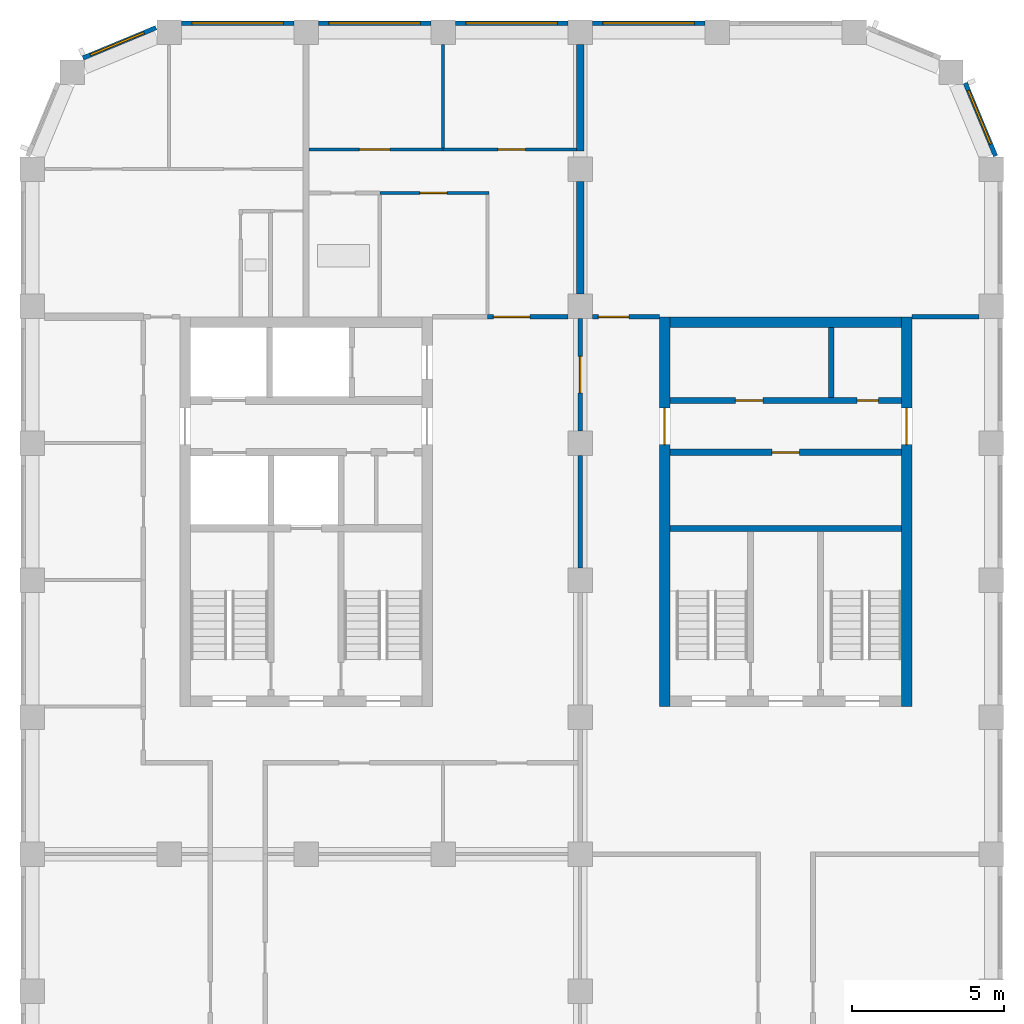
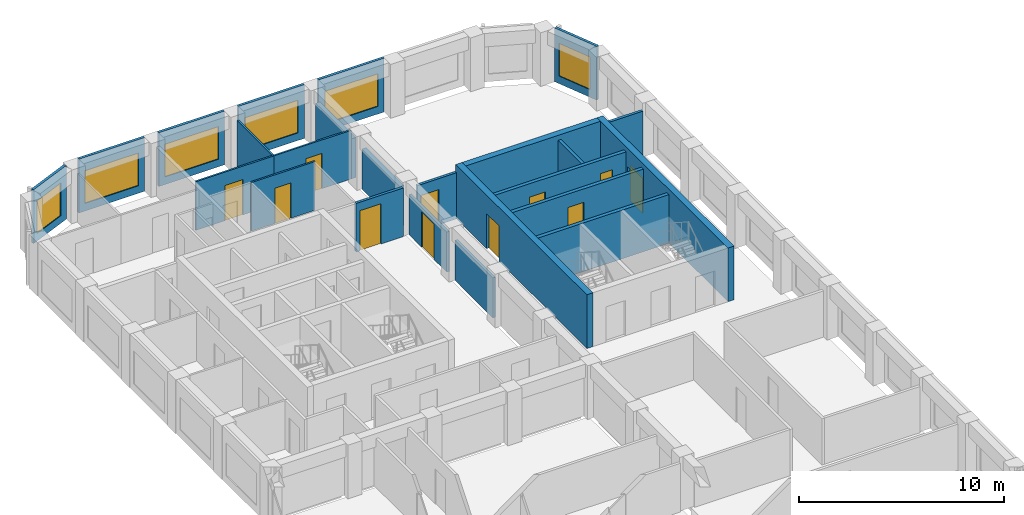
# One storey, part 6 of 9: 24 walls, 11 doors, 6 windows, 17 openings.
"""IFC4 building model written with IfcOpenShell, lengths in metres."""

from ifc_helpers import new_model, si_unit, direction, frame, frame_2d, origin, place, context, subcontext, project, spatial, rectangle, extrude, material, layer, layer_set, type_object, element, fill, save


model = new_model("IFC4")

# Units and contexts
model_context = context("Model", 3, precision=1e-05, world=origin(), true_north=direction((0.0, 1.0)))
body_context = subcontext(model_context, "Body", "Model", "MODEL_VIEW")
ifc_project = project(units=[si_unit("LENGTHUNIT", "METRE"), si_unit("AREAUNIT", "SQUARE_METRE"), si_unit("VOLUMEUNIT", "CUBIC_METRE"), si_unit("PLANEANGLEUNIT", "RADIAN"), si_unit("MASSUNIT", "GRAM", prefix="KILO")], contexts=[model_context])

# Site, building, storey
site_placement = place(None, origin())
site = spatial("IfcSite", under=ifc_project, at=site_placement, CompositionType="ELEMENT")
building_placement = place(site_placement, origin())
building = spatial("IfcBuilding", under=site, at=building_placement, Name="Girih Gate Residences", CompositionType="ELEMENT")
storey_placement = place(building_placement, frame((0.0, 0.0, 219.695068359375)))
storey = spatial("IfcBuildingStorey", under=building, at=storey_placement, Name="L61", CompositionType="ELEMENT", Elevation=219.695068359375)

# Walls
ifc_material_1 = material(Name="Gypsum board on steel studs", Category="steel")
ifc_layer_1 = layer(ifc_material_1, 0.25)
ifc_layer_set_1 = layer_set([ifc_layer_1], Name="Acoustic separating wall 250 mm")
wall_type_1 = type_object("IfcWallType", Name="Acoustic separating wall 250 mm", PredefinedType="PARTITIONING", material=ifc_layer_set_1)
wall_1_placement = place(storey_placement, frame((18.0, 45.590087890625, 0.0), z_axis=(0.0, 0.0, 1.0), x_axis=(0.0, 1.0, 0.0)))
element("IfcWall", 1, at=wall_1_placement, inside=storey, type_object=wall_type_1, Name="L61 partition", PredefinedType="PARTITIONING", context=body_context, shape_type="SweptSolid", body=[
    extrude(rectangle(XDim=3.510009765625, YDim=0.25, at=frame_2d((1.7548828125, 0.0))), origin(), (0.0, 0.0, 1.0), 2.3798828125),
])
wall_2_placement = place(storey_placement, frame((18.0, 40.89990234375, 0.0), z_axis=(0.0, 0.0, 1.0), x_axis=(0.0, 1.0, 0.0)))
element("IfcWall", 2, at=wall_2_placement, inside=storey, type_object=wall_type_1, Name="L61 partition", PredefinedType="PARTITIONING", context=body_context, shape_type="SweptSolid", body=[
    extrude(rectangle(XDim=3.7001953125, YDim=0.25, at=frame_2d((1.85009765625, 0.0))), origin(), (0.0, 0.0, 1.0), 2.3798828125),
])

# Wall, opening, door
ifc_layer_2 = layer(ifc_material_1, 0.14990234375)
ifc_layer_set_2 = layer_set([ifc_layer_2], Name="Compartment wall 150 mm")
wall_type_2 = type_object("IfcWallType", Name="Compartment wall 150 mm", PredefinedType="PARTITIONING", material=ifc_layer_set_2)
wall_3_placement = place(storey_placement, frame((14.949951171875, 40.14990234375, 0.0), z_axis=(0.0, 0.0, 1.0), x_axis=(1.0, 0.0, 0.0)))
wall_3 = element("IfcWall", 3, at=wall_3_placement, inside=storey, type_object=wall_type_2, Name="L61 partition", PredefinedType="PARTITIONING", context=body_context, shape_type="SweptSolid", body=[
    extrude(rectangle(XDim=2.650146484375, YDim=0.14990234375, at=frame_2d((1.3251953125, 0.0))), origin(), (0.0, 0.0, 1.0), 2.89990234375),
])
opening_1_placement = place(wall_3_placement, frame((0.199951171875, 0.0, 0.0)))
opening_1 = element("IfcOpeningElement", 4, at=opening_1_placement, cuts=wall_3, Name="Opening A61-016", PredefinedType="OPENING", context=body_context, shape_type="SweptSolid", body=[
    extrude(rectangle(XDim=1.199951171875, YDim=2.39990234375, at=frame_2d((0.60009765625, 1.199951171875))), frame((0.0, 0.0849609375, 0.0), z_axis=(0.0, -1.0, 0.0), x_axis=(1.0, 0.0, 0.0)), (0.0, 0.0, 1.0), 0.169921875),
])
ifc_material_2 = material(Name="Timber, fire-rated core", Category="wood")
door_type_1 = type_object("IfcDoorType", Name="Villa entrance door 1200x2400 FD30S", OperationType="NOTDEFINED", PredefinedType="DOOR", material=ifc_material_2)
door_1_placement = place(opening_1_placement, origin())
door_1 = element("IfcDoor", 5, at=door_1_placement, inside=storey, type_object=door_type_1, Name="Door A61-016", OperationType="SINGLE_SWING_LEFT", OverallHeight=2.39990234375, OverallWidth=1.199951171875, PredefinedType="DOOR", context=body_context, shape_type="SweptSolid", body=[
    extrude(rectangle(XDim=1.199951171875, YDim=2.39990234375, at=frame_2d((0.60009765625, 1.199951171875))), frame((0.0, 0.02490234375, 0.0), z_axis=(0.0, -1.0, 0.0), x_axis=(1.0, 0.0, 0.0)), (0.0, 0.0, 1.0), 0.050048828125),
])
fill(opening_1, door_1)

wall_4_placement = place(storey_placement, frame((18.39990234375, 40.14990234375, 0.0), z_axis=(0.0, 0.0, 1.0), x_axis=(1.0, 0.0, 0.0)))
wall_4 = element("IfcWall", 6, at=wall_4_placement, inside=storey, type_object=wall_type_2, Name="L61 partition", PredefinedType="PARTITIONING", context=body_context, shape_type="SweptSolid", body=[
    extrude(rectangle(XDim=2.2001953125, YDim=0.14990234375, at=frame_2d((1.10009765625, 0.0))), origin(), (0.0, 0.0, 1.0), 2.75),
])
opening_2_placement = place(wall_4_placement, frame((0.199951171875, 0.0, 0.0)))
opening_2 = element("IfcOpeningElement", 7, at=opening_2_placement, cuts=wall_4, Name="Opening A61-018", PredefinedType="OPENING", context=body_context, shape_type="SweptSolid", body=[
    extrude(rectangle(XDim=1.0, YDim=2.10009765625, at=frame_2d((0.5, 1.050048828125))), frame((0.0, 0.0849609375, 0.0), z_axis=(0.0, -1.0, 0.0), x_axis=(1.0, 0.0, 0.0)), (0.0, 0.0, 1.0), 0.169921875),
])
door_type_2 = type_object("IfcDoorType", Name="Amenity room door 1000x2100 FD30S", OperationType="NOTDEFINED", PredefinedType="DOOR", material=ifc_material_2)
door_2_placement = place(opening_2_placement, origin())
door_2 = element("IfcDoor", 8, at=door_2_placement, inside=storey, type_object=door_type_2, Name="Door A61-018", OperationType="SINGLE_SWING_LEFT", OverallHeight=2.10009765625, OverallWidth=1.0, PredefinedType="DOOR", context=body_context, shape_type="SweptSolid", body=[
    extrude(rectangle(XDim=1.0, YDim=2.10009765625, at=frame_2d((0.5, 1.050048828125))), frame((0.0, 0.02490234375, 0.0), z_axis=(0.0, -1.0, 0.0), x_axis=(1.0, 0.0, 0.0)), (0.0, 0.0, 1.0), 0.050048828125),
])
fill(opening_2, door_2)

# Walls
wall_5_placement = place(storey_placement, frame((28.89990234375, 40.14990234375, 0.0), z_axis=(0.0, 0.0, 1.0), x_axis=(1.0, 0.0, 0.0)))
element("IfcWall", 9, at=wall_5_placement, inside=storey, type_object=wall_type_2, Name="L61 partition", PredefinedType="PARTITIONING", context=body_context, shape_type="SweptSolid", body=[
    extrude(rectangle(XDim=2.2001953125, YDim=0.14990234375, at=frame_2d((1.10009765625, 0.0))), origin(), (0.0, 0.0, 1.0), 2.75),
])
wall_6_placement = place(storey_placement, frame((18.0, 31.89990234375, 0.0), z_axis=(0.0, 0.0, 1.0), x_axis=(0.0, 1.0, 0.0)))
element("IfcWall", 10, at=wall_6_placement, inside=storey, type_object=wall_type_2, Name="L61 partition", PredefinedType="PARTITIONING", context=body_context, shape_type="SweptSolid", body=[
    extrude(rectangle(XDim=3.7001953125, YDim=0.14990234375, at=frame_2d((1.85009765625, 0.0))), origin(), (0.0, 0.0, 1.0), 2.3798828125),
])

# Wall, opening, door
wall_7_placement = place(storey_placement, frame((18.0, 40.10009765625, 0.0), z_axis=(0.0, 0.0, 1.0), x_axis=(0.0, -1.0, 0.0)))
wall_7 = element("IfcWall", 11, at=wall_7_placement, inside=storey, type_object=wall_type_2, Name="L61 partition", PredefinedType="PARTITIONING", context=body_context, shape_type="SweptSolid", body=[
    extrude(rectangle(XDim=3.7001953125, YDim=0.14990234375, at=frame_2d((1.85009765625, 0.0))), origin(), (0.0, 0.0, 1.0), 2.3798828125),
])
opening_3_placement = place(wall_7_placement, frame((1.25, 0.0, 0.0)))
opening_3 = element("IfcOpeningElement", 12, at=opening_3_placement, cuts=wall_7, Name="Opening A61-019", PredefinedType="OPENING", context=body_context, shape_type="SweptSolid", body=[
    extrude(rectangle(XDim=1.199951171875, YDim=2.10009765625, at=frame_2d((0.60009765625, 1.050048828125))), frame((0.0, 0.0849609375, 0.0), z_axis=(0.0, -1.0, 0.0), x_axis=(1.0, 0.0, 0.0)), (0.0, 0.0, 1.0), 0.169921875),
])
door_type_3 = type_object("IfcDoorType", Name="Corridor fire door 1200x2100 FD30S", OperationType="NOTDEFINED", PredefinedType="DOOR", material=ifc_material_2)
door_3_placement = place(opening_3_placement, origin())
door_3 = element("IfcDoor", 13, at=door_3_placement, inside=storey, type_object=door_type_3, Name="Door A61-019", OperationType="SINGLE_SWING_LEFT", OverallHeight=2.10009765625, OverallWidth=1.199951171875, PredefinedType="DOOR", context=body_context, shape_type="SweptSolid", body=[
    extrude(rectangle(XDim=1.199951171875, YDim=2.10009765625, at=frame_2d((0.60009765625, 1.050048828125))), frame((0.0, 0.02490234375, 0.0), z_axis=(0.0, -1.0, 0.0), x_axis=(1.0, 0.0, 0.0)), (0.0, 0.0, 1.0), 0.050048828125),
])
fill(opening_3, door_3)

ifc_layer_3 = layer(ifc_material_1, 0.10009765625)
ifc_layer_set_3 = layer_set([ifc_layer_3], Name="Partition 100 mm")
wall_type_3 = type_object("IfcWallType", Name="Partition 100 mm", PredefinedType="PARTITIONING", material=ifc_layer_set_3)
wall_8_placement = place(storey_placement, frame((13.5, 45.639892578125, 0.0), z_axis=(0.0, 0.0, 1.0), x_axis=(1.0, 0.0, 0.0)))
wall_8 = element("IfcWall", 14, at=wall_8_placement, inside=storey, type_object=wall_type_3, Name="L61 partition", PredefinedType="PARTITIONING", context=body_context, shape_type="SweptSolid", body=[
    extrude(rectangle(XDim=4.375, YDim=0.10009765625, at=frame_2d((2.1875, 0.0))), origin(), (0.0, 0.0, 1.0), 2.89990234375),
])
opening_4_placement = place(wall_8_placement, frame((1.800048828125, 0.0, 0.0)))
opening_4 = element("IfcOpeningElement", 15, at=opening_4_placement, cuts=wall_8, Name="Opening A61-013", PredefinedType="OPENING", context=body_context, shape_type="SweptSolid", body=[
    extrude(rectangle(XDim=0.89990234375, YDim=2.10009765625, at=frame_2d((0.449951171875, 1.050048828125))), frame((0.0, 0.06005859375, 0.0), z_axis=(0.0, -1.0, 0.0), x_axis=(1.0, 0.0, 0.0)), (0.0, 0.0, 1.0), 0.1201171875),
])
ifc_material_3 = material(Name="Timber", Category="wood")
door_type_4 = type_object("IfcDoorType", Name="Bedroom door 900x2100", OperationType="NOTDEFINED", PredefinedType="DOOR", material=ifc_material_3)
door_4_placement = place(opening_4_placement, origin())
door_4 = element("IfcDoor", 16, at=door_4_placement, inside=storey, type_object=door_type_4, Name="Door A61-013", OperationType="SINGLE_SWING_RIGHT", OverallHeight=2.10009765625, OverallWidth=0.89990234375, PredefinedType="DOOR", context=body_context, shape_type="SweptSolid", body=[
    extrude(rectangle(XDim=0.89990234375, YDim=2.10009765625, at=frame_2d((0.449951171875, 1.050048828125))), frame((0.0, 0.02490234375, 0.0), z_axis=(0.0, -1.0, 0.0), x_axis=(1.0, 0.0, 0.0)), (0.0, 0.0, 1.0), 0.050048828125),
])
fill(opening_4, door_4)

# Wall
wall_9_placement = place(storey_placement, frame((13.5, 45.68994140625, 0.0), z_axis=(0.0, 0.0, 1.0), x_axis=(0.0, 1.0, 0.0)))
element("IfcWall", 17, at=wall_9_placement, inside=storey, type_object=wall_type_3, Name="L61 partition", PredefinedType="PARTITIONING", context=body_context, shape_type="SweptSolid", body=[
    extrude(rectangle(XDim=3.41015625, YDim=0.10009765625, at=frame_2d((1.705078125, 0.0))), origin(), (0.0, 0.0, 1.0), 2.89990234375),
])

# Wall, opening, door
wall_10_placement = place(storey_placement, frame((15.0, 44.219970703125, 0.0), z_axis=(0.0, 0.0, 1.0), x_axis=(-1.0, 0.0, 0.0)))
wall_10 = element("IfcWall", 18, at=wall_10_placement, inside=storey, type_object=wall_type_3, Name="L61 partition", PredefinedType="PARTITIONING", context=body_context, shape_type="SweptSolid", body=[
    extrude(rectangle(XDim=3.581787109375, YDim=0.10009765625, at=frame_2d((1.791015625, 0.0))), origin(), (0.0, 0.0, 1.0), 2.89990234375),
])
opening_5_placement = place(wall_10_placement, frame((1.365966796875, 0.0, 0.0)))
opening_5 = element("IfcOpeningElement", 19, at=opening_5_placement, cuts=wall_10, Name="Opening A61-014", PredefinedType="OPENING", context=body_context, shape_type="SweptSolid", body=[
    extrude(rectangle(XDim=0.89990234375, YDim=2.10009765625, at=frame_2d((0.449951171875, 1.050048828125))), frame((0.0, 0.06005859375, 0.0), z_axis=(0.0, -1.0, 0.0), x_axis=(1.0, 0.0, 0.0)), (0.0, 0.0, 1.0), 0.1201171875),
])
door_type_5 = type_object("IfcDoorType", Name="Kitchen door 900x2100", OperationType="NOTDEFINED", PredefinedType="DOOR", material=ifc_material_3)
door_5_placement = place(opening_5_placement, origin())
door_5 = element("IfcDoor", 20, at=door_5_placement, inside=storey, type_object=door_type_5, Name="Door A61-014", OperationType="SINGLE_SWING_RIGHT", OverallHeight=2.10009765625, OverallWidth=0.89990234375, PredefinedType="DOOR", context=body_context, shape_type="SweptSolid", body=[
    extrude(rectangle(XDim=0.89990234375, YDim=2.10009765625, at=frame_2d((0.449951171875, 1.050048828125))), frame((0.0, 0.02490234375, 0.0), z_axis=(0.0, -1.0, 0.0), x_axis=(1.0, 0.0, 0.0)), (0.0, 0.0, 1.0), 0.050048828125),
])
fill(opening_5, door_5)

wall_11_placement = place(storey_placement, frame((9.10009765625, 45.639892578125, 0.0), z_axis=(0.0, 0.0, 1.0), x_axis=(1.0, 0.0, 0.0)))
wall_11 = element("IfcWall", 21, at=wall_11_placement, inside=storey, type_object=wall_type_3, Name="L61 partition", PredefinedType="PARTITIONING", context=body_context, shape_type="SweptSolid", body=[
    extrude(rectangle(XDim=4.39990234375, YDim=0.10009765625, at=frame_2d((2.199951171875, 0.0))), origin(), (0.0, 0.0, 1.0), 2.89990234375),
])
opening_6_placement = place(wall_11_placement, frame((1.64990234375, 0.0, 0.0)))
opening_6 = element("IfcOpeningElement", 22, at=opening_6_placement, cuts=wall_11, Name="Opening A61-015", PredefinedType="OPENING", context=body_context, shape_type="SweptSolid", body=[
    extrude(rectangle(XDim=1.0, YDim=2.10009765625, at=frame_2d((0.5, 1.050048828125))), frame((0.0, 0.06005859375, 0.0), z_axis=(0.0, -1.0, 0.0), x_axis=(1.0, 0.0, 0.0)), (0.0, 0.0, 1.0), 0.1201171875),
])
door_type_6 = type_object("IfcDoorType", Name="Living room door 1000x2100", OperationType="NOTDEFINED", PredefinedType="DOOR", material=ifc_material_3)
door_6_placement = place(opening_6_placement, origin())
door_6 = element("IfcDoor", 23, at=door_6_placement, inside=storey, type_object=door_type_6, Name="Door A61-015", OperationType="SINGLE_SWING_LEFT", OverallHeight=2.10009765625, OverallWidth=1.0, PredefinedType="DOOR", context=body_context, shape_type="SweptSolid", body=[
    extrude(rectangle(XDim=1.0, YDim=2.10009765625, at=frame_2d((0.5, 1.050048828125))), frame((0.0, 0.02490234375, 0.0), z_axis=(0.0, -1.0, 0.0), x_axis=(1.0, 0.0, 0.0)), (0.0, 0.0, 1.0), 0.050048828125),
])
fill(opening_6, door_6)

# Wall, opening, window
ifc_material_4 = material(Name="Precast concrete C50/60", Category="concrete")
ifc_layer_4 = layer(ifc_material_4, 0.050048828125, Name="Outer leaf")
ifc_material_5 = material(Name="Rigid PIR insulation")
ifc_layer_5 = layer(ifc_material_5, 0.06005859375, Name="Insulation")
ifc_material_6 = material(Name="Precast concrete C40/50", Category="concrete")
ifc_layer_6 = layer(ifc_material_6, 0.0400390625, Name="Inner leaf")
ifc_layer_set_4 = layer_set([ifc_layer_4, ifc_layer_5, ifc_layer_6], Name="Precast concrete C50/60 external wall 150")
wall_type_4 = type_object("IfcWallType", Name="Precast concrete C50/60 external wall 150", PredefinedType="SOLIDWALL", material=ifc_layer_set_4)
wall_12_placement = place(storey_placement, frame((30.6513671875, 47.8330078125, 0.0), z_axis=(0.0, 0.0, 1.0), x_axis=(0.382669406082, -0.923885342263, 0.0)))
wall_12 = element("IfcWall", 24, at=wall_12_placement, inside=storey, type_object=wall_type_4, Name="External wall NE0315_0450.0", PredefinedType="SOLIDWALL", context=body_context, shape_type="SweptSolid", body=[
    extrude(rectangle(XDim=2.602294921875, YDim=0.14990234375, at=frame_2d((1.30126953125, 0.0))), origin(), (0.0, 0.0, 1.0), 3.199951171875),
])
opening_7_placement = place(wall_12_placement, frame((0.27001953125, 0.0, 0.449951171875)))
opening_7 = element("IfcOpeningElement", 25, at=opening_7_placement, cuts=wall_12, Name="Opening W-2G", PredefinedType="OPENING", context=body_context, shape_type="SweptSolid", body=[
    extrude(rectangle(XDim=1.89990234375, YDim=1.949951171875, at=frame_2d((0.949951171875, 0.97509765625))), frame((0.0, 0.0849609375, 0.0), z_axis=(0.0, -1.0, 0.0), x_axis=(1.0, 0.0, 0.0)), (0.0, 0.0, 1.0), 0.169921875),
])
ifc_material_7 = material(Name="Double glazing in aluminium frame", Category="aluminium")
window_type_1 = type_object("IfcWindowType", Name="Window W-2G 1900x1950", PartitioningType="SINGLE_PANEL", PredefinedType="WINDOW", material=ifc_material_7)
window_1_placement = place(opening_7_placement, origin())
window_1 = element("IfcWindow", 26, at=window_1_placement, inside=storey, type_object=window_type_1, Name="Window W-2G NE0315_0450.0", OverallHeight=1.949951171875, OverallWidth=1.89990234375, PartitioningType="SINGLE_PANEL", PredefinedType="WINDOW", context=body_context, shape_type="SweptSolid", body=[
    extrude(rectangle(XDim=1.89990234375, YDim=1.949951171875, at=frame_2d((0.949951171875, 0.97509765625))), frame((0.0, 0.030029296875, 0.0), z_axis=(0.0, -1.0, 0.0), x_axis=(1.0, 0.0, 0.0)), (0.0, 0.0, 1.0), 0.06005859375),
])
fill(opening_7, window_1)

wall_13_placement = place(storey_placement, frame((18.39990234375, 49.800048828125, 0.0), z_axis=(0.0, 0.0, 1.0), x_axis=(1.0, 0.0, 0.0)))
wall_13 = element("IfcWall", 27, at=wall_13_placement, inside=storey, type_object=wall_type_4, Name="External wall N0270_0495.1", PredefinedType="SOLIDWALL", context=body_context, shape_type="SweptSolid", body=[
    extrude(rectangle(XDim=3.7001953125, YDim=0.14990234375, at=frame_2d((1.85009765625, 0.0))), origin(), (0.0, 0.0, 1.0), 3.199951171875),
])
opening_8_placement = place(wall_13_placement, frame((0.35009765625, 0.0, 0.449951171875)))
opening_8 = element("IfcOpeningElement", 28, at=opening_8_placement, cuts=wall_13, Name="Opening W-1D", PredefinedType="OPENING", context=body_context, shape_type="SweptSolid", body=[
    extrude(rectangle(XDim=3.0, YDim=1.949951171875, at=frame_2d((1.5, 0.97509765625))), frame((0.0, 0.0849609375, 0.0), z_axis=(0.0, -1.0, 0.0), x_axis=(1.0, 0.0, 0.0)), (0.0, 0.0, 1.0), 0.169921875),
])
window_type_2 = type_object("IfcWindowType", Name="Window W-1D 3000x1950", PartitioningType="SINGLE_PANEL", PredefinedType="WINDOW", material=ifc_material_7)
window_2_placement = place(opening_8_placement, origin())
window_2 = element("IfcWindow", 29, at=window_2_placement, inside=storey, type_object=window_type_2, Name="Window W-1D N0270_0495.1", OverallHeight=1.949951171875, OverallWidth=3.0, PartitioningType="SINGLE_PANEL", PredefinedType="WINDOW", context=body_context, shape_type="SweptSolid", body=[
    extrude(rectangle(XDim=3.0, YDim=1.949951171875, at=frame_2d((1.5, 0.97509765625))), frame((0.0, 0.030029296875, 0.0), z_axis=(0.0, -1.0, 0.0), x_axis=(1.0, 0.0, 0.0)), (0.0, 0.0, 1.0), 0.06005859375),
])
fill(opening_8, window_2)

wall_14_placement = place(storey_placement, frame((13.89990234375, 49.800048828125, 0.0), z_axis=(0.0, 0.0, 1.0), x_axis=(1.0, 0.0, 0.0)))
wall_14 = element("IfcWall", 30, at=wall_14_placement, inside=storey, type_object=wall_type_4, Name="External wall N0270_0495.2", PredefinedType="SOLIDWALL", context=body_context, shape_type="SweptSolid", body=[
    extrude(rectangle(XDim=3.7001953125, YDim=0.14990234375, at=frame_2d((1.85009765625, 0.0))), origin(), (0.0, 0.0, 1.0), 3.199951171875),
])
opening_9_placement = place(wall_14_placement, frame((0.35009765625, 0.0, 0.449951171875)))
opening_9 = element("IfcOpeningElement", 31, at=opening_9_placement, cuts=wall_14, Name="Opening W-1D", PredefinedType="OPENING", context=body_context, shape_type="SweptSolid", body=[
    extrude(rectangle(XDim=3.0, YDim=1.949951171875, at=frame_2d((1.5, 0.97509765625))), frame((0.0, 0.0849609375, 0.0), z_axis=(0.0, -1.0, 0.0), x_axis=(1.0, 0.0, 0.0)), (0.0, 0.0, 1.0), 0.169921875),
])
window_3_placement = place(opening_9_placement, origin())
window_3 = element("IfcWindow", 32, at=window_3_placement, inside=storey, type_object=window_type_2, Name="Window W-1D N0270_0495.2", OverallHeight=1.949951171875, OverallWidth=3.0, PartitioningType="SINGLE_PANEL", PredefinedType="WINDOW", context=body_context, shape_type="SweptSolid", body=[
    extrude(rectangle(XDim=3.0, YDim=1.949951171875, at=frame_2d((1.5, 0.97509765625))), frame((0.0, 0.030029296875, 0.0), z_axis=(0.0, -1.0, 0.0), x_axis=(1.0, 0.0, 0.0)), (0.0, 0.0, 1.0), 0.06005859375),
])
fill(opening_9, window_3)

wall_15_placement = place(storey_placement, frame((9.39990234375, 49.800048828125, 0.0), z_axis=(0.0, 0.0, 1.0), x_axis=(1.0, 0.0, 0.0)))
wall_15 = element("IfcWall", 33, at=wall_15_placement, inside=storey, type_object=wall_type_4, Name="External wall N0270_0495.3", PredefinedType="SOLIDWALL", context=body_context, shape_type="SweptSolid", body=[
    extrude(rectangle(XDim=3.7001953125, YDim=0.14990234375, at=frame_2d((1.85009765625, 0.0))), origin(), (0.0, 0.0, 1.0), 3.199951171875),
])
opening_10_placement = place(wall_15_placement, frame((0.35009765625, 0.0, 0.449951171875)))
opening_10 = element("IfcOpeningElement", 34, at=opening_10_placement, cuts=wall_15, Name="Opening W-1D", PredefinedType="OPENING", context=body_context, shape_type="SweptSolid", body=[
    extrude(rectangle(XDim=3.0, YDim=1.949951171875, at=frame_2d((1.5, 0.97509765625))), frame((0.0, 0.0849609375, 0.0), z_axis=(0.0, -1.0, 0.0), x_axis=(1.0, 0.0, 0.0)), (0.0, 0.0, 1.0), 0.169921875),
])
window_4_placement = place(opening_10_placement, origin())
window_4 = element("IfcWindow", 35, at=window_4_placement, inside=storey, type_object=window_type_2, Name="Window W-1D N0270_0495.3", OverallHeight=1.949951171875, OverallWidth=3.0, PartitioningType="SINGLE_PANEL", PredefinedType="WINDOW", context=body_context, shape_type="SweptSolid", body=[
    extrude(rectangle(XDim=3.0, YDim=1.949951171875, at=frame_2d((1.5, 0.97509765625))), frame((0.0, 0.030029296875, 0.0), z_axis=(0.0, -1.0, 0.0), x_axis=(1.0, 0.0, 0.0)), (0.0, 0.0, 1.0), 0.06005859375),
])
fill(opening_10, window_4)

wall_16_placement = place(storey_placement, frame((4.89990234375, 49.800048828125, 0.0), z_axis=(0.0, 0.0, 1.0), x_axis=(1.0, 0.0, 0.0)))
wall_16 = element("IfcWall", 36, at=wall_16_placement, inside=storey, type_object=wall_type_4, Name="External wall N0270_0495.4", PredefinedType="SOLIDWALL", context=body_context, shape_type="SweptSolid", body=[
    extrude(rectangle(XDim=3.7001953125, YDim=0.14990234375, at=frame_2d((1.85009765625, 0.0))), origin(), (0.0, 0.0, 1.0), 3.199951171875),
])
opening_11_placement = place(wall_16_placement, frame((0.35009765625, 0.0, 0.449951171875)))
opening_11 = element("IfcOpeningElement", 37, at=opening_11_placement, cuts=wall_16, Name="Opening W-1D", PredefinedType="OPENING", context=body_context, shape_type="SweptSolid", body=[
    extrude(rectangle(XDim=3.0, YDim=1.949951171875, at=frame_2d((1.5, 0.97509765625))), frame((0.0, 0.0849609375, 0.0), z_axis=(0.0, -1.0, 0.0), x_axis=(1.0, 0.0, 0.0)), (0.0, 0.0, 1.0), 0.169921875),
])
window_5_placement = place(opening_11_placement, origin())
window_5 = element("IfcWindow", 38, at=window_5_placement, inside=storey, type_object=window_type_2, Name="Window W-1D N0270_0495.4", OverallHeight=1.949951171875, OverallWidth=3.0, PartitioningType="SINGLE_PANEL", PredefinedType="WINDOW", context=body_context, shape_type="SweptSolid", body=[
    extrude(rectangle(XDim=3.0, YDim=1.949951171875, at=frame_2d((1.5, 0.97509765625))), frame((0.0, 0.030029296875, 0.0), z_axis=(0.0, -1.0, 0.0), x_axis=(1.0, 0.0, 0.0)), (0.0, 0.0, 1.0), 0.06005859375),
])
fill(opening_11, window_5)

wall_17_placement = place(storey_placement, frame((1.6669921875, 48.6513671875, 0.0), z_axis=(0.0, 0.0, 1.0), x_axis=(0.923885342263, 0.382669406082, 0.0)))
wall_17 = element("IfcWall", 39, at=wall_17_placement, inside=storey, type_object=wall_type_4, Name="External wall NW0045_0495.0", PredefinedType="SOLIDWALL", context=body_context, shape_type="SweptSolid", body=[
    extrude(rectangle(XDim=2.602294921875, YDim=0.14990234375, at=frame_2d((1.30126953125, 0.0))), origin(), (0.0, 0.0, 1.0), 3.199951171875),
])
opening_12_placement = place(wall_17_placement, frame((0.27001953125, 0.0, 0.449951171875)))
opening_12 = element("IfcOpeningElement", 40, at=opening_12_placement, cuts=wall_17, Name="Opening W-2G", PredefinedType="OPENING", context=body_context, shape_type="SweptSolid", body=[
    extrude(rectangle(XDim=1.89990234375, YDim=1.949951171875, at=frame_2d((0.949951171875, 0.97509765625))), frame((0.0, 0.0849609375, 0.0), z_axis=(0.0, -1.0, 0.0), x_axis=(1.0, 0.0, 0.0)), (0.0, 0.0, 1.0), 0.169921875),
])
window_6_placement = place(opening_12_placement, origin())
window_6 = element("IfcWindow", 41, at=window_6_placement, inside=storey, type_object=window_type_1, Name="Window W-2G NW0045_0495.0", OverallHeight=1.949951171875, OverallWidth=1.89990234375, PartitioningType="SINGLE_PANEL", PredefinedType="WINDOW", context=body_context, shape_type="SweptSolid", body=[
    extrude(rectangle(XDim=1.89990234375, YDim=1.949951171875, at=frame_2d((0.949951171875, 0.97509765625))), frame((0.0, 0.030029296875, 0.0), z_axis=(0.0, -1.0, 0.0), x_axis=(1.0, 0.0, 0.0)), (0.0, 0.0, 1.0), 0.06005859375),
])
fill(opening_12, window_6)

# Walls
ifc_material_8 = material(Name="Concrete C40/50", Category="concrete")
ifc_layer_7 = layer(ifc_material_8, 0.175048828125)
ifc_layer_set_5 = layer_set([ifc_layer_7], Name="Riser shaft wall 175")
wall_type_5 = type_object("IfcWallType", Name="Riser shaft wall 175", PredefinedType="SOLIDWALL", material=ifc_layer_set_5)
wall_18_placement = place(storey_placement, frame((26.25, 37.5, 0.0), z_axis=(0.0, 0.0, 1.0), x_axis=(0.0, 1.0, 0.0)))
element("IfcWall", 42, at=wall_18_placement, inside=storey, type_object=wall_type_5, Name="L61 C core wall V2c", PredefinedType="SOLIDWALL", context=body_context, shape_type="SweptSolid", body=[
    extrude(rectangle(XDim=2.300048828125, YDim=0.175048828125, at=frame_2d((1.14990234375, 0.0))), origin(), (0.0, 0.0, 1.0), 2.89990234375),
])
ifc_layer_8 = layer(ifc_material_8, 0.199951171875)
ifc_layer_set_6 = layer_set([ifc_layer_8], Name="Shaft wall 200")
wall_type_6 = type_object("IfcWallType", Name="Shaft wall 200", PredefinedType="SOLIDWALL", material=ifc_layer_set_6)
wall_19_placement = place(storey_placement, frame((20.949951171875, 33.199951171875, 0.0), z_axis=(0.0, 0.0, 1.0), x_axis=(1.0, 0.0, 0.0)))
element("IfcWall", 43, at=wall_19_placement, inside=storey, type_object=wall_type_6, Name="L61 C core wall H1", PredefinedType="SOLIDWALL", context=body_context, shape_type="SweptSolid", body=[
    extrude(rectangle(XDim=7.60009765625, YDim=0.199951171875, at=frame_2d((3.800048828125, 0.0))), origin(), (0.0, 0.0, 1.0), 2.89990234375),
])

# Wall, opening, door
wall_20_placement = place(storey_placement, frame((20.949951171875, 35.699951171875, 0.0), z_axis=(0.0, 0.0, 1.0), x_axis=(1.0, 0.0, 0.0)))
wall_20 = element("IfcWall", 44, at=wall_20_placement, inside=storey, type_object=wall_type_6, Name="L61 C core wall H2", PredefinedType="SOLIDWALL", context=body_context, shape_type="SweptSolid", body=[
    extrude(rectangle(XDim=7.60009765625, YDim=0.199951171875, at=frame_2d((3.800048828125, 0.0))), origin(), (0.0, 0.0, 1.0), 2.89990234375),
])
opening_13_placement = place(wall_20_placement, frame((3.35009765625, 0.0, 0.0)))
opening_13 = element("IfcOpeningElement", 45, at=opening_13_placement, cuts=wall_20, Name="Opening D-L61-C-004", PredefinedType="OPENING", context=body_context, shape_type="SweptSolid", body=[
    extrude(rectangle(XDim=0.89990234375, YDim=2.10009765625, at=frame_2d((0.449951171875, 1.050048828125))), frame((0.0, 0.10986328125, 0.0), z_axis=(0.0, -1.0, 0.0), x_axis=(1.0, 0.0, 0.0)), (0.0, 0.0, 1.0), 0.219970703125),
])
ifc_material_9 = material(Name="Painted steel, fire-resisting", Category="steel")
door_type_7 = type_object("IfcDoorType", Name="Fire door 900x2100", OperationType="SINGLE_SWING_LEFT", PredefinedType="DOOR", material=ifc_material_9)
door_7_placement = place(opening_13_placement, origin())
door_7 = element("IfcDoor", 46, at=door_7_placement, inside=storey, type_object=door_type_7, Name="L61 C store door", OperationType="SINGLE_SWING_LEFT", OverallHeight=2.10009765625, OverallWidth=0.89990234375, PredefinedType="DOOR", context=body_context, shape_type="SweptSolid", body=[
    extrude(rectangle(XDim=0.89990234375, YDim=2.10009765625, at=frame_2d((0.449951171875, 1.050048828125))), frame((0.0, 0.02490234375, 0.0), z_axis=(0.0, -1.0, 0.0), x_axis=(1.0, 0.0, 0.0)), (0.0, 0.0, 1.0), 0.050048828125),
])
fill(opening_13, door_7)

# Wall, openings, doors
wall_21_placement = place(storey_placement, frame((20.949951171875, 37.39990234375, 0.0), z_axis=(0.0, 0.0, 1.0), x_axis=(1.0, 0.0, 0.0)))
wall_21 = element("IfcWall", 47, at=wall_21_placement, inside=storey, type_object=wall_type_6, Name="L61 C core wall H3", PredefinedType="SOLIDWALL", context=body_context, shape_type="SweptSolid", body=[
    extrude(rectangle(XDim=7.60009765625, YDim=0.199951171875, at=frame_2d((3.800048828125, 0.0))), origin(), (0.0, 0.0, 1.0), 2.89990234375),
])
opening_14_placement = place(wall_21_placement, frame((6.14990234375, 0.0, 0.0)))
opening_14 = element("IfcOpeningElement", 48, at=opening_14_placement, cuts=wall_21, Name="Opening D-L61-C-003", PredefinedType="OPENING", context=body_context, shape_type="SweptSolid", body=[
    extrude(rectangle(XDim=0.699951171875, YDim=2.10009765625, at=frame_2d((0.35009765625, 1.050048828125))), frame((0.0, 0.10986328125, 0.0), z_axis=(0.0, -1.0, 0.0), x_axis=(1.0, 0.0, 0.0)), (0.0, 0.0, 1.0), 0.219970703125),
])
opening_15_placement = place(wall_21_placement, frame((2.14990234375, 0.0, 0.0)))
opening_15 = element("IfcOpeningElement", 49, at=opening_15_placement, cuts=wall_21, Name="Opening D-L61-C-005", PredefinedType="OPENING", context=body_context, shape_type="SweptSolid", body=[
    extrude(rectangle(XDim=0.89990234375, YDim=2.10009765625, at=frame_2d((0.449951171875, 1.050048828125))), frame((0.0, 0.10986328125, 0.0), z_axis=(0.0, -1.0, 0.0), x_axis=(1.0, 0.0, 0.0)), (0.0, 0.0, 1.0), 0.219970703125),
])
door_8_placement = place(opening_15_placement, origin())
door_8 = element("IfcDoor", 50, at=door_8_placement, inside=storey, type_object=door_type_7, Name="L61 C refuse store door", OperationType="SINGLE_SWING_LEFT", OverallHeight=2.10009765625, OverallWidth=0.89990234375, PredefinedType="DOOR", context=body_context, shape_type="SweptSolid", body=[
    extrude(rectangle(XDim=0.89990234375, YDim=2.10009765625, at=frame_2d((0.449951171875, 1.050048828125))), frame((0.0, 0.02490234375, 0.0), z_axis=(0.0, -1.0, 0.0), x_axis=(1.0, 0.0, 0.0)), (0.0, 0.0, 1.0), 0.050048828125),
])
fill(opening_15, door_8)
door_type_8 = type_object("IfcDoorType", Name="Riser access door 700x2100", OperationType="SINGLE_SWING_LEFT", PredefinedType="DOOR", material=ifc_material_9)
door_9_placement = place(opening_14_placement, origin())
door_9 = element("IfcDoor", 51, at=door_9_placement, inside=storey, type_object=door_type_8, Name="L61 C riser room door", OperationType="SINGLE_SWING_LEFT", OverallHeight=2.10009765625, OverallWidth=0.699951171875, PredefinedType="DOOR", context=body_context, shape_type="SweptSolid", body=[
    extrude(rectangle(XDim=0.699951171875, YDim=2.10009765625, at=frame_2d((0.35009765625, 1.050048828125))), frame((0.0, 0.02490234375, 0.0), z_axis=(0.0, -1.0, 0.0), x_axis=(1.0, 0.0, 0.0)), (0.0, 0.0, 1.0), 0.050048828125),
])
fill(opening_14, door_9)

# Wall
ifc_layer_9 = layer(ifc_material_8, 0.35009765625)
ifc_layer_set_7 = layer_set([ifc_layer_9], Name="Stair core wall RC 350 Concrete C40/50")
wall_type_7 = type_object("IfcWallType", Name="Stair core wall RC 350 Concrete C40/50", PredefinedType="SOLIDWALL", material=ifc_layer_set_7)
wall_22_placement = place(storey_placement, frame((20.949951171875, 39.97509765625, 0.0), z_axis=(0.0, 0.0, 1.0), x_axis=(1.0, 0.0, 0.0)))
element("IfcWall", 52, at=wall_22_placement, inside=storey, type_object=wall_type_7, Name="Stair core wall C-N L61", PredefinedType="SOLIDWALL", context=body_context, shape_type="SweptSolid", body=[
    extrude(rectangle(XDim=7.60009765625, YDim=0.35009765625, at=frame_2d((3.800048828125, 0.0))), origin(), (0.0, 0.0, 1.0), 3.199951171875),
])

# Wall, opening, door
wall_23_placement = place(storey_placement, frame((20.77490234375, 27.35009765625, 0.0), z_axis=(0.0, 0.0, 1.0), x_axis=(0.0, 1.0, 0.0)))
wall_23 = element("IfcWall", 53, at=wall_23_placement, inside=storey, type_object=wall_type_7, Name="Stair core wall C-W L61", PredefinedType="SOLIDWALL", context=body_context, shape_type="SweptSolid", body=[
    extrude(rectangle(XDim=12.7998046875, YDim=0.35009765625, at=frame_2d((6.39990234375, 0.0))), origin(), (0.0, 0.0, 1.0), 3.199951171875),
])
opening_16_placement = place(wall_23_placement, frame((8.60009765625, 0.0, 0.0)))
opening_16 = element("IfcOpeningElement", 54, at=opening_16_placement, cuts=wall_23, Name="Opening D-L61-C-009", PredefinedType="OPENING", context=body_context, shape_type="SweptSolid", body=[
    extrude(rectangle(XDim=1.199951171875, YDim=2.10009765625, at=frame_2d((0.60009765625, 1.050048828125))), frame((0.0, 0.18505859375, 0.0), z_axis=(0.0, -1.0, 0.0), x_axis=(1.0, 0.0, 0.0)), (0.0, 0.0, 1.0), 0.3701171875),
])
door_type_9 = type_object("IfcDoorType", Name="Fire door 1200x2100", OperationType="SINGLE_SWING_LEFT", PredefinedType="DOOR", material=ifc_material_9)
door_10_placement = place(opening_16_placement, origin())
door_10 = element("IfcDoor", 55, at=door_10_placement, inside=storey, type_object=door_type_9, Name="L61 C core door ll-w", OperationType="SINGLE_SWING_LEFT", OverallHeight=2.10009765625, OverallWidth=1.199951171875, PredefinedType="DOOR", context=body_context, shape_type="SweptSolid", body=[
    extrude(rectangle(XDim=1.199951171875, YDim=2.10009765625, at=frame_2d((0.60009765625, 1.050048828125))), frame((0.0, 0.02490234375, 0.0), z_axis=(0.0, -1.0, 0.0), x_axis=(1.0, 0.0, 0.0)), (0.0, 0.0, 1.0), 0.050048828125),
])
fill(opening_16, door_10)

wall_24_placement = place(storey_placement, frame((28.72509765625, 27.35009765625, 0.0), z_axis=(0.0, 0.0, 1.0), x_axis=(0.0, 1.0, 0.0)))
wall_24 = element("IfcWall", 56, at=wall_24_placement, inside=storey, type_object=wall_type_7, Name="Stair core wall C-E L61", PredefinedType="SOLIDWALL", context=body_context, shape_type="SweptSolid", body=[
    extrude(rectangle(XDim=12.7998046875, YDim=0.35009765625, at=frame_2d((6.39990234375, 0.0))), origin(), (0.0, 0.0, 1.0), 3.199951171875),
])
opening_17_placement = place(wall_24_placement, frame((8.60009765625, 0.0, 0.0)))
opening_17 = element("IfcOpeningElement", 57, at=opening_17_placement, cuts=wall_24, Name="Opening D-L61-C-010", PredefinedType="OPENING", context=body_context, shape_type="SweptSolid", body=[
    extrude(rectangle(XDim=1.199951171875, YDim=2.10009765625, at=frame_2d((0.60009765625, 1.050048828125))), frame((0.0, 0.18505859375, 0.0), z_axis=(0.0, -1.0, 0.0), x_axis=(1.0, 0.0, 0.0)), (0.0, 0.0, 1.0), 0.3701171875),
])
door_11_placement = place(opening_17_placement, origin())
door_11 = element("IfcDoor", 58, at=door_11_placement, inside=storey, type_object=door_type_9, Name="L61 C core door ll-e", OperationType="SINGLE_SWING_LEFT", OverallHeight=2.10009765625, OverallWidth=1.199951171875, PredefinedType="DOOR", context=body_context, shape_type="SweptSolid", body=[
    extrude(rectangle(XDim=1.199951171875, YDim=2.10009765625, at=frame_2d((0.60009765625, 1.050048828125))), frame((0.0, 0.02490234375, 0.0), z_axis=(0.0, -1.0, 0.0), x_axis=(1.0, 0.0, 0.0)), (0.0, 0.0, 1.0), 0.050048828125),
])
fill(opening_17, door_11)

save(model, "model.ifc")
